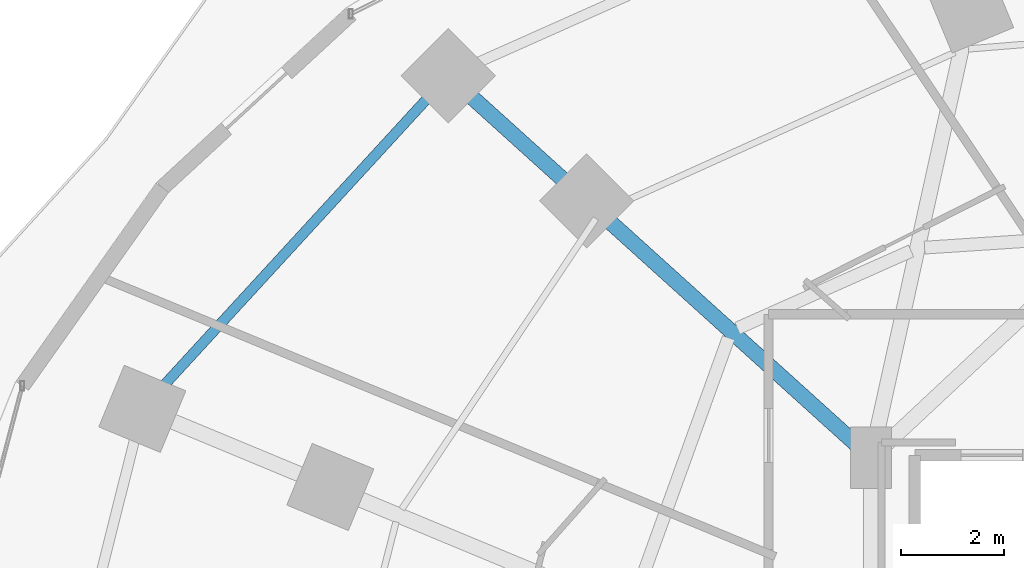
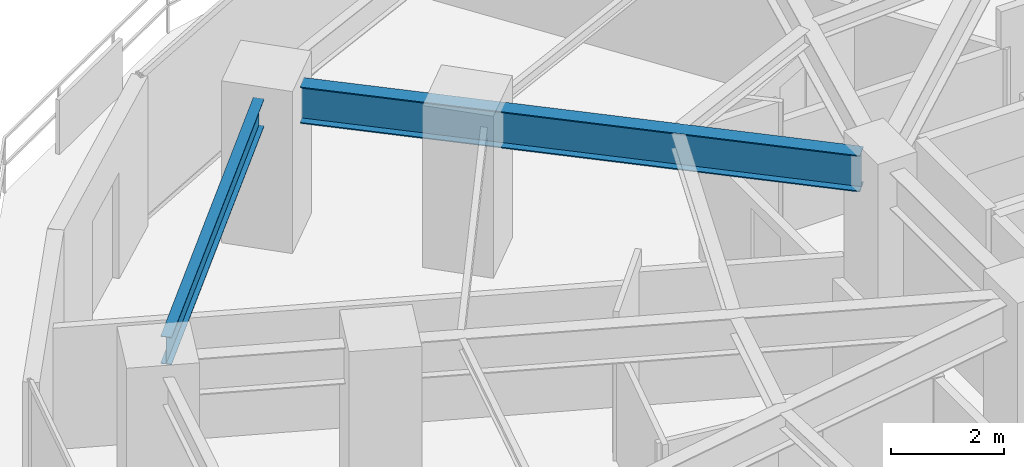
# One storey, part 19 of 35: 2 beams.
"""IFC4 building model written with IfcOpenShell, lengths in metres."""

from ifc_helpers import new_model, si_unit, direction, frame, origin, origin_2d, place, context, subcontext, project, spatial, i_section, extrude, material, material_profile, profile_set, type_object, element, save


model = new_model("IFC4")

# Units and contexts
model_context = context("Model", 3, precision=1e-05, world=origin(), true_north=direction((0.0, 1.0)))
body_context = subcontext(model_context, "Body", "Model", "MODEL_VIEW")
ifc_project = project(units=[si_unit("LENGTHUNIT", "METRE"), si_unit("AREAUNIT", "SQUARE_METRE"), si_unit("VOLUMEUNIT", "CUBIC_METRE"), si_unit("PLANEANGLEUNIT", "RADIAN"), si_unit("MASSUNIT", "GRAM", prefix="KILO")], contexts=[model_context])

# Site, building, storey
site_placement = place(None, origin())
site = spatial("IfcSite", under=ifc_project, at=site_placement, CompositionType="ELEMENT")
building_placement = place(site_placement, origin())
building = spatial("IfcBuilding", under=site, at=building_placement, Name="Vorneva Point Tower", CompositionType="ELEMENT")
storey_placement = place(building_placement, frame((0.0, 0.0, 45.0)))
storey = spatial("IfcBuildingStorey", under=building, at=storey_placement, Name="L11", CompositionType="ELEMENT", Elevation=45.0)

# Beams
ifc_material = material(Name="Steel S355", Category="steel")
ifc_material_profile_1 = material_profile(ifc_material, i_section(OverallWidth=0.300048828125, OverallDepth=0.7880859375, WebThickness=0.014404296875, FlangeThickness=0.02197265625, at=origin_2d()), Name="80Sh1")
ifc_profile_set_1 = profile_set([ifc_material_profile_1], Name="Steel S355")
beam_type_1 = type_object("IfcBeamType", Name="BM-GRD-80Sh1", PredefinedType="USERDEFINED", material=ifc_profile_set_1)
beam_1_placement = place(storey_placement, frame((19.47607421875, 40.172119140625, 2.845947265625), z_axis=(0.742084477445, -0.67030636901, 0.0), x_axis=(0.67030636901, 0.742084477445, 0.0)))
element("IfcBeam", 1, at=beam_1_placement, inside=storey, type_object=beam_type_1, Name="L11 Radial Primary Girder 07", ObjectType="GIRDER", PredefinedType="USERDEFINED", context=body_context, shape_type="SweptSolid", body=[
    extrude(i_section(OverallWidth=0.300048828125, OverallDepth=0.7880859375, WebThickness=0.014404296875, FlangeThickness=0.02197265625, at=origin_2d()), origin(), (0.0, 0.0, 1.0), 10.135986328125),
])
ifc_material_profile_2 = material_profile(ifc_material, i_section(OverallWidth=0.198974609375, OverallDepth=0.595947265625, WebThickness=0.010009765625, FlangeThickness=0.014892578125, at=origin_2d()), Name="60B1")
ifc_profile_set_2 = profile_set([ifc_material_profile_2], Name="Steel S355")
beam_type_2 = type_object("IfcBeamType", Name="BM-SPN-60B1", PredefinedType="SPANDREL", material=ifc_profile_set_2)
beam_2_placement = place(storey_placement, frame((18.572998046875, 40.132080078125, 2.94189453125), z_axis=(-0.676348412786, -0.736581851882, 0.0), x_axis=(0.736581851882, -0.676348412786, 0.0)))
element("IfcBeam", 2, at=beam_2_placement, inside=storey, type_object=beam_type_2, Name="L11 Perimeter Spandrel Ring Beam 07", PredefinedType="SPANDREL", context=body_context, shape_type="SweptSolid", body=[
    extrude(i_section(OverallWidth=0.198974609375, OverallDepth=0.595947265625, WebThickness=0.010009765625, FlangeThickness=0.014892578125, at=origin_2d()), origin(), (0.0, 0.0, 1.0), 7.547119140625),
])

save(model, "model.ifc")
